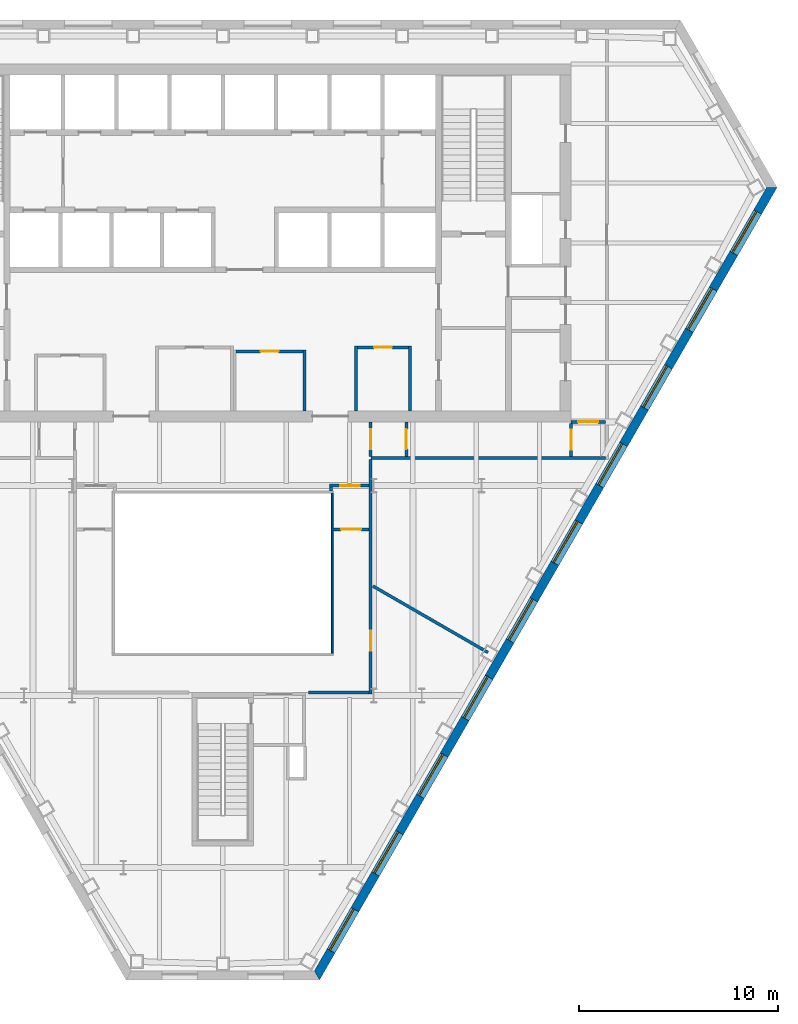
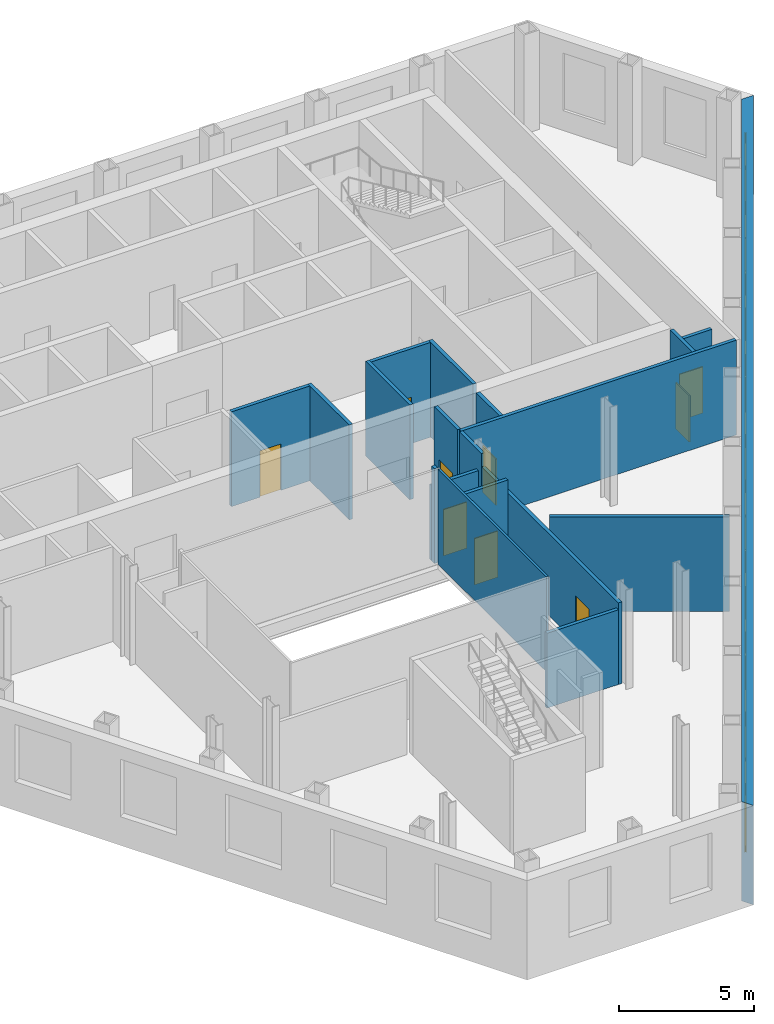
# One storey, part 5 of 11: 19 walls, 10 windows, 9 doors, 19 openings.
"""IFC4 building model written with IfcOpenShell, lengths in metres."""

from ifc_helpers import new_model, si_unit, direction, frame, frame_2d, origin, place, context, subcontext, project, spatial, polyline, rectangle, outline, extrude, material, layer, layer_set, type_object, element, fill, save


model = new_model("IFC4")

# Units and contexts
model_context = context("Model", 3, precision=1e-05, world=origin(), true_north=direction((0.0, 1.0)))
body_context = subcontext(model_context, "Body", "Model", "MODEL_VIEW")
ifc_project = project(units=[si_unit("LENGTHUNIT", "METRE"), si_unit("AREAUNIT", "SQUARE_METRE"), si_unit("VOLUMEUNIT", "CUBIC_METRE"), si_unit("PLANEANGLEUNIT", "RADIAN"), si_unit("MASSUNIT", "GRAM", prefix="KILO")], contexts=[model_context])

# Site, building, storey
site_placement = place(None, origin())
site = spatial("IfcSite", under=ifc_project, at=site_placement, CompositionType="ELEMENT")
building_placement = place(site_placement, origin())
building = spatial("IfcBuilding", under=site, at=building_placement, Name="Njiva Tower", CompositionType="ELEMENT")
storey_placement = place(building_placement, frame((0.0, 0.0, 115.8)))
storey = spatial("IfcBuildingStorey", under=building, at=storey_placement, Name="L24", CompositionType="ELEMENT", Elevation=115.8)

# Wall
ifc_material_1 = material(Name="Blockwork", Category="masonry")
ifc_layer_1 = layer(ifc_material_1, 0.15)
ifc_layer_set_1 = layer_set([ifc_layer_1], Name="Blockwork")
wall_type_1 = type_object("IfcWallType", Name="WT1 Compartment partition 150", PredefinedType="PARTITIONING", material=ifc_layer_set_1)
wall_1_placement = place(storey_placement, frame((4.1, 0.55, 0.0), z_axis=(0.0, 0.0, 1.0), x_axis=(0.0, 1.0, 0.0)))
element("IfcWall", 1, at=wall_1_placement, inside=storey, type_object=wall_type_1, Name="Concierge office wall east", PredefinedType="PARTITIONING", context=body_context, shape_type="SweptSolid", body=[
    extrude(rectangle(XDim=3.075, YDim=0.15, at=frame_2d((1.5375, 0.0))), origin(), (0.0, 0.0, 1.0), 4.3),
])

# Wall, opening, door
wall_2_placement = place(storey_placement, frame((0.675, 3.55, 0.0), z_axis=(0.0, 0.0, 1.0), x_axis=(1.0, 0.0, 0.0)))
wall_2 = element("IfcWall", 2, at=wall_2_placement, inside=storey, type_object=wall_type_1, Name="Concierge office wall north", PredefinedType="PARTITIONING", context=body_context, shape_type="SweptSolid", body=[
    extrude(rectangle(XDim=3.35, YDim=0.15, at=frame_2d((1.675, 0.0))), origin(), (0.0, 0.0, 1.0), 4.3),
])
opening_1_placement = place(wall_2_placement, frame((1.225, 0.0, 0.0)))
opening_1 = element("IfcOpeningElement", 3, at=opening_1_placement, cuts=wall_2, Name="Opening S08-D934", PredefinedType="OPENING", context=body_context, shape_type="SweptSolid", body=[
    extrude(rectangle(XDim=0.9, YDim=2.1, at=frame_2d((0.45, 1.05))), frame((0.0, 0.085, 0.0), z_axis=(0.0, -1.0, 0.0), x_axis=(1.0, 0.0, 0.0)), (0.0, 0.0, 1.0), 0.17),
])
ifc_material_2 = material(Name="Steel fire door, painted", Category="steel")
door_type_1 = type_object("IfcDoorType", Name="D6 Fire-rated door 900x2100", OperationType="SINGLE_SWING_LEFT", PredefinedType="DOOR", material=ifc_material_2)
door_1_placement = place(opening_1_placement, origin())
door_1 = element("IfcDoor", 4, at=door_1_placement, inside=storey, type_object=door_type_1, Name="Concierge office door", OperationType="SINGLE_SWING_LEFT", OverallHeight=2.1, OverallWidth=0.9, PredefinedType="DOOR", context=body_context, shape_type="SweptSolid", body=[
    extrude(rectangle(XDim=0.9, YDim=2.1, at=frame_2d((0.45, 1.05))), frame((0.0, 0.025, 0.0), z_axis=(0.0, -1.0, 0.0), x_axis=(1.0, 0.0, 0.0)), (0.0, 0.0, 1.0), 0.05),
])
fill(opening_1, door_1)

# Walls
for number, where, z_axis, x_axis, name in (
    (5, (6.7, 0.55, 0.0), (0.0, 0.0, 1.0), (0.0, 1.0, 0.0), "Post room wall west"),
    (6, (9.4, 0.55, 0.0), (0.0, 0.0, 1.0), (0.0, 1.0, 0.0), "Post room wall east"),
):
    element("IfcWall", number, at=place(storey_placement, frame(where, z_axis=z_axis, x_axis=x_axis)), inside=storey, type_object=wall_type_1, Name=name, PredefinedType="PARTITIONING", context=body_context, shape_type="SweptSolid", body=[
        extrude(rectangle(XDim=3.275, YDim=0.15, at=frame_2d((1.6375, 0.0))), origin(), (0.0, 0.0, 1.0), 4.3),
    ])

# Wall, opening, door
wall_3_placement = place(storey_placement, frame((6.775, 3.75, 0.0), z_axis=(0.0, 0.0, 1.0), x_axis=(1.0, 0.0, 0.0)))
wall_3 = element("IfcWall", 7, at=wall_3_placement, inside=storey, type_object=wall_type_1, Name="Post room wall north", PredefinedType="PARTITIONING", context=body_context, shape_type="SweptSolid", body=[
    extrude(rectangle(XDim=2.55, YDim=0.15, at=frame_2d((1.275, 0.0))), origin(), (0.0, 0.0, 1.0), 4.3),
])
opening_2_placement = place(wall_3_placement, frame((0.825, 0.0, 0.0)))
opening_2 = element("IfcOpeningElement", 8, at=opening_2_placement, cuts=wall_3, Name="Opening S08-D935", PredefinedType="OPENING", context=body_context, shape_type="SweptSolid", body=[
    extrude(rectangle(XDim=0.9, YDim=2.1, at=frame_2d((0.45, 1.05))), frame((0.0, 0.085, 0.0), z_axis=(0.0, -1.0, 0.0), x_axis=(1.0, 0.0, 0.0)), (0.0, 0.0, 1.0), 0.17),
])
door_2_placement = place(opening_2_placement, origin())
door_2 = element("IfcDoor", 9, at=door_2_placement, inside=storey, type_object=door_type_1, Name="Post room door", OperationType="SINGLE_SWING_RIGHT", OverallHeight=2.1, OverallWidth=0.9, PredefinedType="DOOR", context=body_context, shape_type="SweptSolid", body=[
    extrude(rectangle(XDim=0.9, YDim=2.1, at=frame_2d((0.45, 1.05))), frame((0.0, 0.025, 0.0), z_axis=(0.0, -1.0, 0.0), x_axis=(1.0, 0.0, 0.0)), (0.0, 0.0, 1.0), 0.05),
])
fill(opening_2, door_2)

# Wall
ifc_material_3 = material(Name="Gypsum board on steel studs", Category="gypsum")
ifc_layer_2 = layer(ifc_material_3, 0.15)
ifc_layer_set_2 = layer_set([ifc_layer_2], Name="Gypsum board on steel studs")
wall_type_2 = type_object("IfcWallType", Name="WT21 Compartment wall 150", PredefinedType="PARTITIONING", material=ifc_layer_set_2)
wall_4_placement = place(storey_placement, frame((4.3, -13.6, 0.0), z_axis=(0.0, 0.0, 1.0), x_axis=(1.0, 0.0, 0.0)))
element("IfcWall", 10, at=wall_4_placement, inside=storey, type_object=wall_type_2, Name="Partition S08-P015", PredefinedType="PARTITIONING", context=body_context, shape_type="SweptSolid", body=[
    extrude(rectangle(XDim=3.055, YDim=0.15, at=frame_2d((1.5275, 0.0))), origin(), (0.0, 0.0, 1.0), 3.39),
])

# Wall, opening, door
wall_5_placement = place(storey_placement, frame((5.355, -3.2, 0.0), z_axis=(0.0, 0.0, 1.0), x_axis=(1.0, 0.0, 0.0)))
wall_5 = element("IfcWall", 11, at=wall_5_placement, inside=storey, type_object=wall_type_2, Name="Partition S08-P016", PredefinedType="PARTITIONING", context=body_context, shape_type="SweptSolid", body=[
    extrude(rectangle(XDim=2.0, YDim=0.15, at=frame_2d((1.0, 0.0))), origin(), (0.0, 0.0, 1.0), 3.39),
])
opening_3_placement = place(wall_5_placement, frame((0.538, 0.0, 0.0)))
opening_3 = element("IfcOpeningElement", 12, at=opening_3_placement, cuts=wall_5, Name="Opening S08-D011", PredefinedType="OPENING", context=body_context, shape_type="SweptSolid", body=[
    extrude(rectangle(XDim=1.0, YDim=2.1, at=frame_2d((0.5, 1.05))), frame((0.0, 0.085, 0.0), z_axis=(0.0, -1.0, 0.0), x_axis=(1.0, 0.0, 0.0)), (0.0, 0.0, 1.0), 0.17),
])
ifc_material_4 = material(Name="Steel fire door set", Category="steel")
door_type_2 = type_object("IfcDoorType", Name="D37 Fire door 1000x2100", OperationType="SINGLE_SWING_LEFT", PredefinedType="DOOR", material=ifc_material_4)
door_3_placement = place(opening_3_placement, origin())
door_3 = element("IfcDoor", 13, at=door_3_placement, inside=storey, type_object=door_type_2, Name="Door S08-D011", OperationType="SINGLE_SWING_LEFT", OverallHeight=2.1, OverallWidth=1.0, PredefinedType="DOOR", context=body_context, shape_type="SweptSolid", body=[
    extrude(rectangle(XDim=1.0, YDim=2.1, at=frame_2d((0.5, 1.05))), frame((0.0, 0.025, 0.0), z_axis=(0.0, -1.0, 0.0), x_axis=(1.0, 0.0, 0.0)), (0.0, 0.0, 1.0), 0.05),
])
fill(opening_3, door_3)

# Wall
wall_6_placement = place(storey_placement, frame((5.43, -3.48, 0.0), z_axis=(0.0, 0.0, 1.0), x_axis=(0.0, 1.0, 0.0)))
element("IfcWall", 14, at=wall_6_placement, inside=storey, type_object=wall_type_2, Name="Partition S08-P017", PredefinedType="PARTITIONING", context=body_context, shape_type="SweptSolid", body=[
    extrude(rectangle(XDim=0.205, YDim=0.15, at=frame_2d((0.1025, 0.0))), origin(), (0.0, 0.0, 1.0), 4.3),
])

# Wall, opening, door
wall_7_placement = place(storey_placement, frame((5.55, -5.4, 0.0), z_axis=(0.0, 0.0, 1.0), x_axis=(1.0, 0.0, 0.0)))
wall_7 = element("IfcWall", 15, at=wall_7_placement, inside=storey, type_object=wall_type_2, Name="Partition S08-P018", PredefinedType="PARTITIONING", context=body_context, shape_type="SweptSolid", body=[
    extrude(rectangle(XDim=1.805, YDim=0.15, at=frame_2d((0.9025, 0.0))), origin(), (0.0, 0.0, 1.0), 4.3),
])
opening_4_placement = place(wall_7_placement, frame((0.402, 0.0, 0.0)))
opening_4 = element("IfcOpeningElement", 16, at=opening_4_placement, cuts=wall_7, Name="Opening S08-D012", PredefinedType="OPENING", context=body_context, shape_type="SweptSolid", body=[
    extrude(rectangle(XDim=1.0, YDim=2.1, at=frame_2d((0.5, 1.05))), frame((0.0, 0.085, 0.0), z_axis=(0.0, -1.0, 0.0), x_axis=(1.0, 0.0, 0.0)), (0.0, 0.0, 1.0), 0.17),
])
door_4_placement = place(opening_4_placement, origin())
door_4 = element("IfcDoor", 17, at=door_4_placement, inside=storey, type_object=door_type_2, Name="Door S08-D012", OperationType="SINGLE_SWING_RIGHT", OverallHeight=2.1, OverallWidth=1.0, PredefinedType="DOOR", context=body_context, shape_type="SweptSolid", body=[
    extrude(rectangle(XDim=1.0, YDim=2.1, at=frame_2d((0.5, 1.05))), frame((0.0, 0.025, 0.0), z_axis=(0.0, -1.0, 0.0), x_axis=(1.0, 0.0, 0.0)), (0.0, 0.0, 1.0), 0.05),
])
fill(opening_4, door_4)

wall_8_placement = place(storey_placement, frame((7.43, -13.675, 0.0), z_axis=(0.0, 0.0, 1.0), x_axis=(0.0, 1.0, 0.0)))
wall_8 = element("IfcWall", 18, at=wall_8_placement, inside=storey, type_object=wall_type_2, Name="Partition S08-P019", PredefinedType="PARTITIONING", context=body_context, shape_type="SweptSolid", body=[
    extrude(rectangle(XDim=10.167, YDim=0.15, at=frame_2d((5.0835, 0.0))), origin(), (0.0, 0.0, 1.0), 3.7),
])
opening_5_placement = place(wall_8_placement, frame((2.183, 0.0, 0.0)))
opening_5 = element("IfcOpeningElement", 19, at=opening_5_placement, cuts=wall_8, Name="Opening S08-D013", PredefinedType="OPENING", context=body_context, shape_type="SweptSolid", body=[
    extrude(rectangle(XDim=1.0, YDim=2.1, at=frame_2d((0.5, 1.05))), frame((0.0, 0.085, 0.0), z_axis=(0.0, -1.0, 0.0), x_axis=(1.0, 0.0, 0.0)), (0.0, 0.0, 1.0), 0.17),
])
door_5_placement = place(opening_5_placement, origin())
door_5 = element("IfcDoor", 20, at=door_5_placement, inside=storey, type_object=door_type_2, Name="Door S08-D013", OperationType="SINGLE_SWING_LEFT", OverallHeight=2.1, OverallWidth=1.0, PredefinedType="DOOR", context=body_context, shape_type="SweptSolid", body=[
    extrude(rectangle(XDim=1.0, YDim=2.1, at=frame_2d((0.5, 1.05))), frame((0.0, 0.025, 0.0), z_axis=(0.0, -1.0, 0.0), x_axis=(1.0, 0.0, 0.0)), (0.0, 0.0, 1.0), 0.05),
])
fill(opening_5, door_5)

# Wall
wall_9_placement = place(storey_placement, frame((7.43, -3.508, 0.0), z_axis=(0.0, 0.0, 1.0), x_axis=(0.0, 1.0, 0.0)))
element("IfcWall", 21, at=wall_9_placement, inside=storey, type_object=wall_type_2, Name="Partition S08-P019A", PredefinedType="PARTITIONING", context=body_context, shape_type="SweptSolid", body=[
    extrude(rectangle(XDim=1.633, YDim=0.15, at=frame_2d((0.8165, 0.0))), origin(), (0.0, 0.0, 1.0), 4.3),
])

# Wall, opening, door
wall_10_placement = place(storey_placement, frame((7.43, -1.725, 0.0), z_axis=(0.0, 0.0, 1.0), x_axis=(0.0, 1.0, 0.0)))
wall_10 = element("IfcWall", 22, at=wall_10_placement, inside=storey, type_object=wall_type_2, Name="Partition S08-P020", PredefinedType="PARTITIONING", context=body_context, shape_type="SweptSolid", body=[
    extrude(rectangle(XDim=1.725, YDim=0.15, at=frame_2d((0.8625, 0.0))), origin(), (0.0, 0.0, 1.0), 4.3),
])
opening_6_placement = place(wall_10_placement, frame((0.363, 0.0, 0.0)))
opening_6 = element("IfcOpeningElement", 23, at=opening_6_placement, cuts=wall_10, Name="Opening S08-D014", PredefinedType="OPENING", context=body_context, shape_type="SweptSolid", body=[
    extrude(rectangle(XDim=1.0, YDim=2.1, at=frame_2d((0.5, 1.05))), frame((0.0, 0.085, 0.0), z_axis=(0.0, -1.0, 0.0), x_axis=(1.0, 0.0, 0.0)), (0.0, 0.0, 1.0), 0.17),
])
door_6_placement = place(opening_6_placement, origin())
door_6 = element("IfcDoor", 24, at=door_6_placement, inside=storey, type_object=door_type_2, Name="Door S08-D014", OperationType="SINGLE_SWING_RIGHT", OverallHeight=2.1, OverallWidth=1.0, PredefinedType="DOOR", context=body_context, shape_type="SweptSolid", body=[
    extrude(rectangle(XDim=1.0, YDim=2.1, at=frame_2d((0.5, 1.05))), frame((0.0, 0.025, 0.0), z_axis=(0.0, -1.0, 0.0), x_axis=(1.0, 0.0, 0.0)), (0.0, 0.0, 1.0), 0.05),
])
fill(opening_6, door_6)

# Walls
wall_11_placement = place(storey_placement, frame((7.435, -1.8, 0.0), z_axis=(0.0, 0.0, 1.0), x_axis=(1.0, 0.0, 0.0)))
element("IfcWall", 25, at=wall_11_placement, inside=storey, type_object=wall_type_2, Name="Partition S08-P021", PredefinedType="PARTITIONING", context=body_context, shape_type="SweptSolid", body=[
    extrude(rectangle(XDim=11.79, YDim=0.15, at=frame_2d((5.895, 0.0))), origin(), (0.0, 0.0, 1.0), 4.3),
])
wall_12_placement = place(storey_placement, frame((7.542, -8.247, 0.0), z_axis=(0.0, 0.0, 1.0), x_axis=(0.866078355221, -0.499908274205, 0.0)))
element("IfcWall", 26, at=wall_12_placement, inside=storey, type_object=wall_type_2, Name="Partition S08-P022", PredefinedType="PARTITIONING", context=body_context, shape_type="SweptSolid", body=[
    extrude(rectangle(XDim=6.6772, YDim=0.15, at=frame_2d((3.3386, 0.0))), origin(), (0.0, 0.0, 1.0), 4.3),
])

# Wall, opening, door
wall_13_placement = place(storey_placement, frame((9.23, -1.725, 0.0), z_axis=(0.0, 0.0, 1.0), x_axis=(0.0, 1.0, 0.0)))
wall_13 = element("IfcWall", 27, at=wall_13_placement, inside=storey, type_object=wall_type_2, Name="Partition S08-P023", PredefinedType="PARTITIONING", context=body_context, shape_type="SweptSolid", body=[
    extrude(rectangle(XDim=1.725, YDim=0.15, at=frame_2d((0.8625, 0.0))), origin(), (0.0, 0.0, 1.0), 4.3),
])
opening_7_placement = place(wall_13_placement, frame((0.363, 0.0, 0.0)))
opening_7 = element("IfcOpeningElement", 28, at=opening_7_placement, cuts=wall_13, Name="Opening S08-D015", PredefinedType="OPENING", context=body_context, shape_type="SweptSolid", body=[
    extrude(rectangle(XDim=1.0, YDim=2.1, at=frame_2d((0.5, 1.05))), frame((0.0, 0.085, 0.0), z_axis=(0.0, -1.0, 0.0), x_axis=(1.0, 0.0, 0.0)), (0.0, 0.0, 1.0), 0.17),
])
door_7_placement = place(opening_7_placement, origin())
door_7 = element("IfcDoor", 29, at=door_7_placement, inside=storey, type_object=door_type_2, Name="Door S08-D015", OperationType="SINGLE_SWING_RIGHT", OverallHeight=2.1, OverallWidth=1.0, PredefinedType="DOOR", context=body_context, shape_type="SweptSolid", body=[
    extrude(rectangle(XDim=1.0, YDim=2.1, at=frame_2d((0.5, 1.05))), frame((0.0, 0.025, 0.0), z_axis=(0.0, -1.0, 0.0), x_axis=(1.0, 0.0, 0.0)), (0.0, 0.0, 1.0), 0.05),
])
fill(opening_7, door_7)

wall_14_placement = place(storey_placement, frame((17.5, -1.725, 0.0), z_axis=(0.0, 0.0, 1.0), x_axis=(0.0, 1.0, 0.0)))
wall_14 = element("IfcWall", 30, at=wall_14_placement, inside=storey, type_object=wall_type_2, Name="Partition S08-P024", PredefinedType="PARTITIONING", context=body_context, shape_type="SweptSolid", body=[
    extrude(rectangle(XDim=1.65, YDim=0.15, at=frame_2d((0.825, 0.0))), origin(), (0.0, 0.0, 1.0), 4.3),
])
opening_8_placement = place(wall_14_placement, frame((0.325, 0.0, 0.0)))
opening_8 = element("IfcOpeningElement", 31, at=opening_8_placement, cuts=wall_14, Name="Opening S08-D016", PredefinedType="OPENING", context=body_context, shape_type="SweptSolid", body=[
    extrude(rectangle(XDim=1.0, YDim=2.1, at=frame_2d((0.5, 1.05))), frame((0.0, 0.085, 0.0), z_axis=(0.0, -1.0, 0.0), x_axis=(1.0, 0.0, 0.0)), (0.0, 0.0, 1.0), 0.17),
])
door_8_placement = place(opening_8_placement, origin())
door_8 = element("IfcDoor", 32, at=door_8_placement, inside=storey, type_object=door_type_2, Name="Door S08-D016", OperationType="SINGLE_SWING_RIGHT", OverallHeight=2.1, OverallWidth=1.0, PredefinedType="DOOR", context=body_context, shape_type="SweptSolid", body=[
    extrude(rectangle(XDim=1.0, YDim=2.1, at=frame_2d((0.5, 1.05))), frame((0.0, 0.025, 0.0), z_axis=(0.0, -1.0, 0.0), x_axis=(1.0, 0.0, 0.0)), (0.0, 0.0, 1.0), 0.05),
])
fill(opening_8, door_8)

wall_15_placement = place(storey_placement, frame((17.5, 0.0, 0.0), z_axis=(0.0, 0.0, 1.0), x_axis=(1.0, 0.0, 0.0)))
wall_15 = element("IfcWall", 33, at=wall_15_placement, inside=storey, type_object=wall_type_2, Name="Partition S08-P025", PredefinedType="PARTITIONING", context=body_context, shape_type="SweptSolid", body=[
    extrude(rectangle(XDim=1.725, YDim=0.15, at=frame_2d((0.8625, 0.0))), origin(), (0.0, 0.0, 1.0), 3.7),
])
opening_9_placement = place(wall_15_placement, frame((0.363, 0.0, 0.0)))
opening_9 = element("IfcOpeningElement", 34, at=opening_9_placement, cuts=wall_15, Name="Opening S08-D017", PredefinedType="OPENING", context=body_context, shape_type="SweptSolid", body=[
    extrude(rectangle(XDim=1.0, YDim=2.1, at=frame_2d((0.5, 1.05))), frame((0.0, 0.085, 0.0), z_axis=(0.0, -1.0, 0.0), x_axis=(1.0, 0.0, 0.0)), (0.0, 0.0, 1.0), 0.17),
])
door_9_placement = place(opening_9_placement, origin())
door_9 = element("IfcDoor", 35, at=door_9_placement, inside=storey, type_object=door_type_2, Name="Door S08-D017", OperationType="SINGLE_SWING_LEFT", OverallHeight=2.1, OverallWidth=1.0, PredefinedType="DOOR", context=body_context, shape_type="SweptSolid", body=[
    extrude(rectangle(XDim=1.0, YDim=2.1, at=frame_2d((0.5, 1.05))), frame((0.0, 0.025, 0.0), z_axis=(0.0, -1.0, 0.0), x_axis=(1.0, 0.0, 0.0)), (0.0, 0.0, 1.0), 0.05),
])
fill(opening_9, door_9)

# Wall, openings, windows
ifc_material_5 = material(Name="Brick masonry", Category="masonry")
ifc_layer_3 = layer(ifc_material_5, 0.45)
ifc_layer_set_3 = layer_set([ifc_layer_3], Name="Brick masonry")
wall_type_3 = type_object("IfcWallType", Name="WT90 Brick pier and spandrel wall 450", PredefinedType="SOLIDWALL", material=ifc_layer_set_3)
wall_16_placement = place(storey_placement, frame((4.7301, -27.8213, -0.4), z_axis=(0.0, 0.0, 1.0), x_axis=(0.500000141277, 0.866025322218, 0.0)))
wall_16 = element("IfcWall", 36, at=wall_16_placement, inside=storey, type_object=wall_type_3, Name="Facade wall SE", PredefinedType="SOLIDWALL", context=body_context, shape_type="SweptSolid", body=[
    extrude(outline(polyline([(-0.1299, -0.225), (45.8601, -0.225), (45.6003, 0.225), (0.1299, 0.225), (-0.1299, -0.225)])), origin(), (0.0, 0.0, 1.0), 4.5),
])
opening_10_placement = place(wall_16_placement, frame((1.4237, 0.0, 1.3)))
opening_10 = element("IfcOpeningElement", 37, at=opening_10_placement, cuts=wall_16, Name="Opening S08-W23", PredefinedType="OPENING", context=body_context, shape_type="SweptSolid", body=[
    extrude(rectangle(XDim=2.4, YDim=2.6, at=frame_2d((1.2, 1.3))), frame((0.0, 0.235, 0.0), z_axis=(0.0, -1.0, 0.0), x_axis=(1.0, 0.0, 0.0)), (0.0, 0.0, 1.0), 0.47),
])
opening_11_placement = place(wall_16_placement, frame((5.8919, 0.0, 1.3)))
opening_11 = element("IfcOpeningElement", 38, at=opening_11_placement, cuts=wall_16, Name="Opening S08-W24", PredefinedType="OPENING", context=body_context, shape_type="SweptSolid", body=[
    extrude(rectangle(XDim=2.4, YDim=2.6, at=frame_2d((1.2, 1.3))), frame((0.0, 0.235, 0.0), z_axis=(0.0, -1.0, 0.0), x_axis=(1.0, 0.0, 0.0)), (0.0, 0.0, 1.0), 0.47),
])
opening_12_placement = place(wall_16_placement, frame((10.3985, 0.0, 1.3)))
opening_12 = element("IfcOpeningElement", 39, at=opening_12_placement, cuts=wall_16, Name="Opening S08-W25", PredefinedType="OPENING", context=body_context, shape_type="SweptSolid", body=[
    extrude(rectangle(XDim=2.4, YDim=2.6, at=frame_2d((1.2, 1.3))), frame((0.0, 0.235, 0.0), z_axis=(0.0, -1.0, 0.0), x_axis=(1.0, 0.0, 0.0)), (0.0, 0.0, 1.0), 0.47),
])
opening_13_placement = place(wall_16_placement, frame((14.9052, 0.0, 1.3)))
opening_13 = element("IfcOpeningElement", 40, at=opening_13_placement, cuts=wall_16, Name="Opening S08-W26", PredefinedType="OPENING", context=body_context, shape_type="SweptSolid", body=[
    extrude(rectangle(XDim=2.4, YDim=2.6, at=frame_2d((1.2, 1.3))), frame((0.0, 0.235, 0.0), z_axis=(0.0, -1.0, 0.0), x_axis=(1.0, 0.0, 0.0)), (0.0, 0.0, 1.0), 0.47),
])
opening_14_placement = place(wall_16_placement, frame((19.4118, 0.0, 1.3)))
opening_14 = element("IfcOpeningElement", 41, at=opening_14_placement, cuts=wall_16, Name="Opening S08-W27", PredefinedType="OPENING", context=body_context, shape_type="SweptSolid", body=[
    extrude(rectangle(XDim=2.4, YDim=2.6, at=frame_2d((1.2, 1.3))), frame((0.0, 0.235, 0.0), z_axis=(0.0, -1.0, 0.0), x_axis=(1.0, 0.0, 0.0)), (0.0, 0.0, 1.0), 0.47),
])
opening_15_placement = place(wall_16_placement, frame((23.9184, 0.0, 1.3)))
opening_15 = element("IfcOpeningElement", 42, at=opening_15_placement, cuts=wall_16, Name="Opening S08-W28", PredefinedType="OPENING", context=body_context, shape_type="SweptSolid", body=[
    extrude(rectangle(XDim=2.4, YDim=2.6, at=frame_2d((1.2, 1.3))), frame((0.0, 0.235, 0.0), z_axis=(0.0, -1.0, 0.0), x_axis=(1.0, 0.0, 0.0)), (0.0, 0.0, 1.0), 0.47),
])
opening_16_placement = place(wall_16_placement, frame((28.425, 0.0, 1.3)))
opening_16 = element("IfcOpeningElement", 43, at=opening_16_placement, cuts=wall_16, Name="Opening S08-W29", PredefinedType="OPENING", context=body_context, shape_type="SweptSolid", body=[
    extrude(rectangle(XDim=2.4, YDim=2.6, at=frame_2d((1.2, 1.3))), frame((0.0, 0.235, 0.0), z_axis=(0.0, -1.0, 0.0), x_axis=(1.0, 0.0, 0.0)), (0.0, 0.0, 1.0), 0.47),
])
opening_17_placement = place(wall_16_placement, frame((32.9316, 0.0, 1.3)))
opening_17 = element("IfcOpeningElement", 44, at=opening_17_placement, cuts=wall_16, Name="Opening S08-W30", PredefinedType="OPENING", context=body_context, shape_type="SweptSolid", body=[
    extrude(rectangle(XDim=2.4, YDim=2.6, at=frame_2d((1.2, 1.3))), frame((0.0, 0.235, 0.0), z_axis=(0.0, -1.0, 0.0), x_axis=(1.0, 0.0, 0.0)), (0.0, 0.0, 1.0), 0.47),
])
opening_18_placement = place(wall_16_placement, frame((37.4383, 0.0, 1.3)))
opening_18 = element("IfcOpeningElement", 45, at=opening_18_placement, cuts=wall_16, Name="Opening S08-W31", PredefinedType="OPENING", context=body_context, shape_type="SweptSolid", body=[
    extrude(rectangle(XDim=2.4, YDim=2.6, at=frame_2d((1.2, 1.3))), frame((0.0, 0.235, 0.0), z_axis=(0.0, -1.0, 0.0), x_axis=(1.0, 0.0, 0.0)), (0.0, 0.0, 1.0), 0.47),
])
opening_19_placement = place(wall_16_placement, frame((41.9065, 0.0, 1.3)))
opening_19 = element("IfcOpeningElement", 46, at=opening_19_placement, cuts=wall_16, Name="Opening S08-W32", PredefinedType="OPENING", context=body_context, shape_type="SweptSolid", body=[
    extrude(rectangle(XDim=2.4, YDim=2.6, at=frame_2d((1.2, 1.3))), frame((0.0, 0.235, 0.0), z_axis=(0.0, -1.0, 0.0), x_axis=(1.0, 0.0, 0.0)), (0.0, 0.0, 1.0), 0.47),
])
ifc_material_6 = material(Name="Clear glazing in aluminium frame", Category="aluminium")
window_type = type_object("IfcWindowType", Name="W92 Deep-set window 2400x2600", PartitioningType="SINGLE_PANEL", PredefinedType="WINDOW", material=ifc_material_6)
window_1_placement = place(opening_10_placement, origin())
window_1 = element("IfcWindow", 47, at=window_1_placement, inside=storey, type_object=window_type, Name="Window", OverallHeight=2.6, OverallWidth=2.4, PartitioningType="SINGLE_PANEL", PredefinedType="WINDOW", context=body_context, shape_type="SweptSolid", body=[
    extrude(rectangle(XDim=2.4, YDim=2.6, at=frame_2d((1.2, 1.3))), frame((0.0, 0.105, 0.0), z_axis=(0.0, -1.0, 0.0), x_axis=(1.0, 0.0, 0.0)), (0.0, 0.0, 1.0), 0.06),
])
fill(opening_10, window_1)
window_2_placement = place(opening_11_placement, origin())
window_2 = element("IfcWindow", 48, at=window_2_placement, inside=storey, type_object=window_type, Name="Window", OverallHeight=2.6, OverallWidth=2.4, PartitioningType="SINGLE_PANEL", PredefinedType="WINDOW", context=body_context, shape_type="SweptSolid", body=[
    extrude(rectangle(XDim=2.4, YDim=2.6, at=frame_2d((1.2, 1.3))), frame((0.0, 0.105, 0.0), z_axis=(0.0, -1.0, 0.0), x_axis=(1.0, 0.0, 0.0)), (0.0, 0.0, 1.0), 0.06),
])
fill(opening_11, window_2)
window_3_placement = place(opening_12_placement, origin())
window_3 = element("IfcWindow", 49, at=window_3_placement, inside=storey, type_object=window_type, Name="Window", OverallHeight=2.6, OverallWidth=2.4, PartitioningType="SINGLE_PANEL", PredefinedType="WINDOW", context=body_context, shape_type="SweptSolid", body=[
    extrude(rectangle(XDim=2.4, YDim=2.6, at=frame_2d((1.2, 1.3))), frame((0.0, 0.105, 0.0), z_axis=(0.0, -1.0, 0.0), x_axis=(1.0, 0.0, 0.0)), (0.0, 0.0, 1.0), 0.06),
])
fill(opening_12, window_3)
window_4_placement = place(opening_13_placement, origin())
window_4 = element("IfcWindow", 50, at=window_4_placement, inside=storey, type_object=window_type, Name="Window", OverallHeight=2.6, OverallWidth=2.4, PartitioningType="SINGLE_PANEL", PredefinedType="WINDOW", context=body_context, shape_type="SweptSolid", body=[
    extrude(rectangle(XDim=2.4, YDim=2.6, at=frame_2d((1.2, 1.3))), frame((0.0, 0.105, 0.0), z_axis=(0.0, -1.0, 0.0), x_axis=(1.0, 0.0, 0.0)), (0.0, 0.0, 1.0), 0.06),
])
fill(opening_13, window_4)
window_5_placement = place(opening_14_placement, origin())
window_5 = element("IfcWindow", 51, at=window_5_placement, inside=storey, type_object=window_type, Name="Window", OverallHeight=2.6, OverallWidth=2.4, PartitioningType="SINGLE_PANEL", PredefinedType="WINDOW", context=body_context, shape_type="SweptSolid", body=[
    extrude(rectangle(XDim=2.4, YDim=2.6, at=frame_2d((1.2, 1.3))), frame((0.0, 0.105, 0.0), z_axis=(0.0, -1.0, 0.0), x_axis=(1.0, 0.0, 0.0)), (0.0, 0.0, 1.0), 0.06),
])
fill(opening_14, window_5)
window_6_placement = place(opening_15_placement, origin())
window_6 = element("IfcWindow", 52, at=window_6_placement, inside=storey, type_object=window_type, Name="Window", OverallHeight=2.6, OverallWidth=2.4, PartitioningType="SINGLE_PANEL", PredefinedType="WINDOW", context=body_context, shape_type="SweptSolid", body=[
    extrude(rectangle(XDim=2.4, YDim=2.6, at=frame_2d((1.2, 1.3))), frame((0.0, 0.105, 0.0), z_axis=(0.0, -1.0, 0.0), x_axis=(1.0, 0.0, 0.0)), (0.0, 0.0, 1.0), 0.06),
])
fill(opening_15, window_6)
window_7_placement = place(opening_16_placement, origin())
window_7 = element("IfcWindow", 53, at=window_7_placement, inside=storey, type_object=window_type, Name="Window", OverallHeight=2.6, OverallWidth=2.4, PartitioningType="SINGLE_PANEL", PredefinedType="WINDOW", context=body_context, shape_type="SweptSolid", body=[
    extrude(rectangle(XDim=2.4, YDim=2.6, at=frame_2d((1.2, 1.3))), frame((0.0, 0.105, 0.0), z_axis=(0.0, -1.0, 0.0), x_axis=(1.0, 0.0, 0.0)), (0.0, 0.0, 1.0), 0.06),
])
fill(opening_16, window_7)
window_8_placement = place(opening_17_placement, origin())
window_8 = element("IfcWindow", 54, at=window_8_placement, inside=storey, type_object=window_type, Name="Window", OverallHeight=2.6, OverallWidth=2.4, PartitioningType="SINGLE_PANEL", PredefinedType="WINDOW", context=body_context, shape_type="SweptSolid", body=[
    extrude(rectangle(XDim=2.4, YDim=2.6, at=frame_2d((1.2, 1.3))), frame((0.0, 0.105, 0.0), z_axis=(0.0, -1.0, 0.0), x_axis=(1.0, 0.0, 0.0)), (0.0, 0.0, 1.0), 0.06),
])
fill(opening_17, window_8)
window_9_placement = place(opening_18_placement, origin())
window_9 = element("IfcWindow", 55, at=window_9_placement, inside=storey, type_object=window_type, Name="Window", OverallHeight=2.6, OverallWidth=2.4, PartitioningType="SINGLE_PANEL", PredefinedType="WINDOW", context=body_context, shape_type="SweptSolid", body=[
    extrude(rectangle(XDim=2.4, YDim=2.6, at=frame_2d((1.2, 1.3))), frame((0.0, 0.105, 0.0), z_axis=(0.0, -1.0, 0.0), x_axis=(1.0, 0.0, 0.0)), (0.0, 0.0, 1.0), 0.06),
])
fill(opening_18, window_9)
window_10_placement = place(opening_19_placement, origin())
window_10 = element("IfcWindow", 56, at=window_10_placement, inside=storey, type_object=window_type, Name="Window", OverallHeight=2.6, OverallWidth=2.4, PartitioningType="SINGLE_PANEL", PredefinedType="WINDOW", context=body_context, shape_type="SweptSolid", body=[
    extrude(rectangle(XDim=2.4, YDim=2.6, at=frame_2d((1.2, 1.3))), frame((0.0, 0.105, 0.0), z_axis=(0.0, -1.0, 0.0), x_axis=(1.0, 0.0, 0.0)), (0.0, 0.0, 1.0), 0.06),
])
fill(opening_19, window_10)

# Wall
ifc_material_7 = material(Name="Fire-resisting glazing EI 90", Category="glass")
ifc_layer_4 = layer(ifc_material_7, 0.1)
ifc_layer_set_4 = layer_set([ifc_layer_4], Name="Fire-resisting glazing EI 90")
wall_type_4 = type_object("IfcWallType", Name="WT95 Fire-resisting glazed screen EI 90", PredefinedType="PARTITIONING", material=ifc_layer_set_4)
wall_17_placement = place(storey_placement, frame((5.5, -11.62, 0.0), z_axis=(0.0, 0.0, 1.0), x_axis=(0.0, 1.0, 0.0)))
element("IfcWall", 57, at=wall_17_placement, inside=storey, type_object=wall_type_4, Name="Atrium fire screen east", PredefinedType="PARTITIONING", context=body_context, shape_type="SweptSolid", body=[
    extrude(rectangle(XDim=8.04, YDim=0.1, at=frame_2d((4.02, 0.0))), origin(), (0.0, 0.0, 1.0), 4.3),
])

save(model, "model.ifc")
